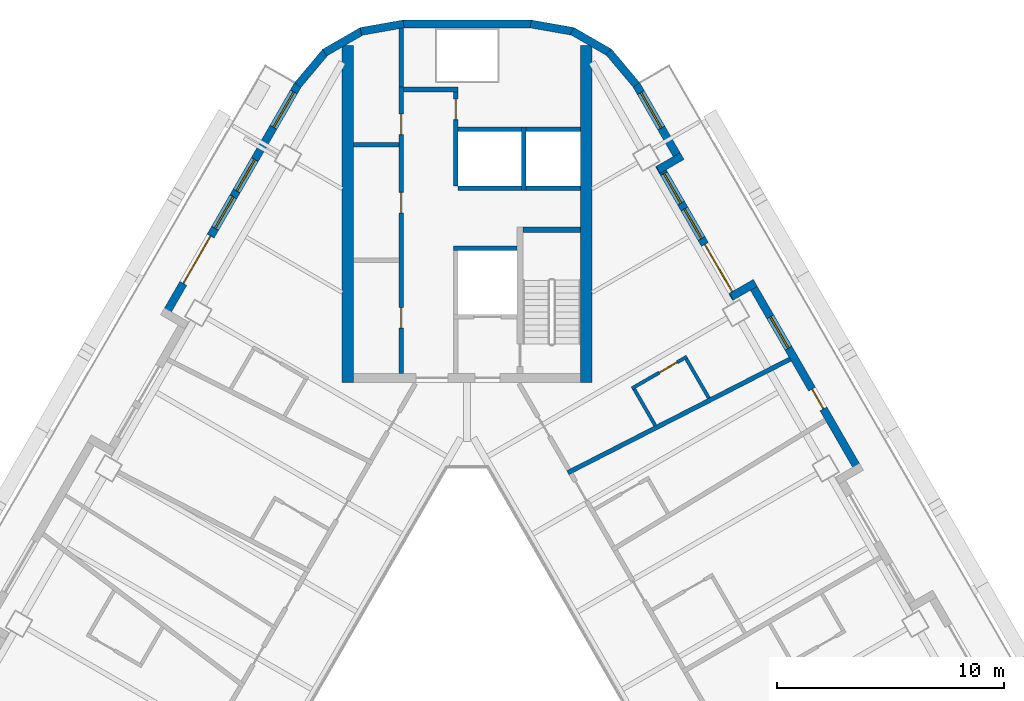
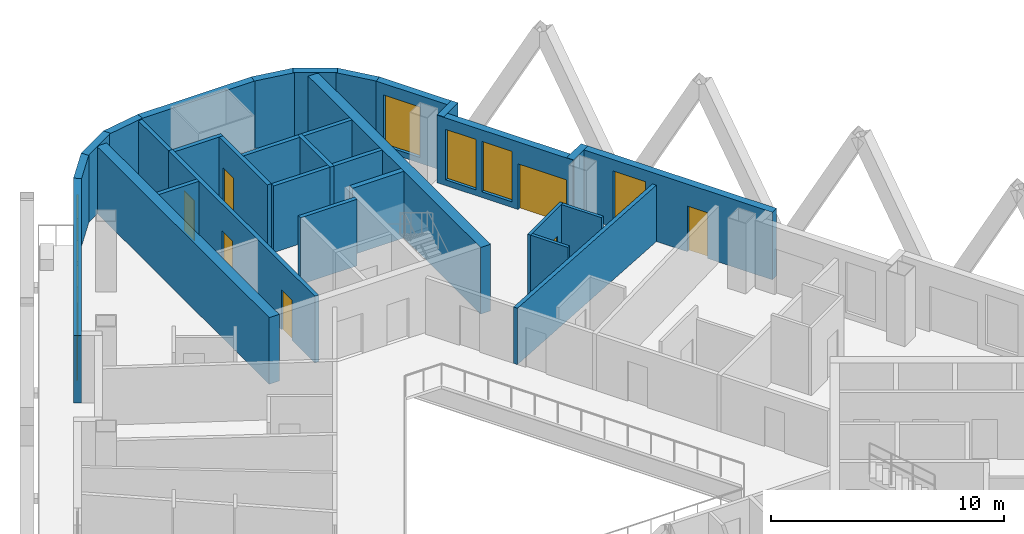
# One storey, part 7 of 14: 31 walls, 8 doors, 7 windows, 15 openings.
"""IFC4 building model written with IfcOpenShell, lengths in metres."""

from ifc_helpers import new_model, si_unit, direction, frame, frame_2d, origin, place, context, subcontext, project, spatial, rectangle, extrude, material, layer, layer_set, type_object, element, fill, save


model = new_model("IFC4")

# Units and contexts
model_context = context("Model", 3, precision=1e-05, world=origin(), true_north=direction((0.0, 1.0)))
body_context = subcontext(model_context, "Body", "Model", "MODEL_VIEW")
ifc_project = project(units=[si_unit("LENGTHUNIT", "METRE"), si_unit("AREAUNIT", "SQUARE_METRE"), si_unit("VOLUMEUNIT", "CUBIC_METRE"), si_unit("PLANEANGLEUNIT", "RADIAN"), si_unit("MASSUNIT", "GRAM", prefix="KILO")], contexts=[model_context])

# Site, building, storey
site_placement = place(None, origin())
site = spatial("IfcSite", under=ifc_project, at=site_placement, CompositionType="ELEMENT")
building_placement = place(site_placement, origin())
building = spatial("IfcBuilding", under=site, at=building_placement, Name="Apuvela Tower Hotel", CompositionType="ELEMENT")
storey_placement = place(building_placement, frame((0.0, 0.0, 90.89990234375)))
storey = spatial("IfcBuildingStorey", under=building, at=storey_placement, Name="L20", CompositionType="ELEMENT", Elevation=90.89990234375)

# Walls
ifc_material_1 = material(Name="Concrete C50/60", Category="concrete")
ifc_layer_1 = layer(ifc_material_1, 0.5)
ifc_layer_set_1 = layer_set([ifc_layer_1], Name="COR-WALL-CORE-500")
wall_type_1 = type_object("IfcWallType", Name="COR-WALL-CORE-500", PredefinedType="SHEAR", material=ifc_layer_set_1)
for number, where, z_axis, x_axis, name in (
    (1, (5.25, 12.89990234375, 0.0), (0.0, 0.0, 1.0), (0.0, 1.0, 0.0), "Core wall N"),
    (2, (-5.25, 12.89990234375, 0.0), (0.0, 0.0, 1.0), (0.0, 1.0, 0.0), "Core wall N"),
):
    element("IfcWall", number, at=place(storey_placement, frame(where, z_axis=z_axis, x_axis=x_axis)), inside=storey, type_object=wall_type_1, Name=name, PredefinedType="SHEAR", context=body_context, shape_type="SweptSolid", body=[
        extrude(rectangle(XDim=14.8369140625, YDim=0.5, at=frame_2d((7.41845703125, 0.0))), origin(), (0.0, 0.0, 1.0), 3.5),
    ])
ifc_material_2 = material(Name="Blockwork 200 mm plastered", Category="masonry")
ifc_layer_2 = layer(ifc_material_2, 0.199951171875)
ifc_layer_set_2 = layer_set([ifc_layer_2], Name="COR-WALL-PART-200")
wall_type_2 = type_object("IfcWallType", Name="COR-WALL-PART-200", PredefinedType="PARTITIONING", material=ifc_layer_set_2)
wall_1_placement = place(storey_placement, frame((5.0, 21.449951171875, 0.0), z_axis=(0.0, 0.0, 1.0), x_axis=(-1.0, 0.0, 0.0)))
element("IfcWall", 3, at=wall_1_placement, inside=storey, type_object=wall_type_2, Name="Partition N", PredefinedType="PARTITIONING", context=body_context, shape_type="SweptSolid", body=[
    extrude(rectangle(XDim=2.39990234375, YDim=0.199951171875, at=frame_2d((1.199951171875, 0.0))), origin(), (0.0, 0.0, 1.0), 3.5),
])
wall_2_placement = place(storey_placement, frame((2.39990234375, 21.449951171875, 0.0), z_axis=(0.0, 0.0, 1.0), x_axis=(-1.0, 0.0, 0.0)))
element("IfcWall", 4, at=wall_2_placement, inside=storey, type_object=wall_type_2, Name="Partition N", PredefinedType="PARTITIONING", context=body_context, shape_type="SweptSolid", body=[
    extrude(rectangle(XDim=2.7998046875, YDim=0.199951171875, at=frame_2d((1.39990234375, 0.0))), origin(), (0.0, 0.0, 1.0), 3.5),
])
ifc_layer_3 = layer(ifc_material_1, 0.199951171875)
ifc_layer_set_3 = layer_set([ifc_layer_3], Name="COR-WALL-SHAFT-200")
wall_type_3 = type_object("IfcWallType", Name="COR-WALL-SHAFT-200", PredefinedType="SHEAR", material=ifc_layer_set_3)
wall_3_placement = place(storey_placement, frame((2.199951171875, 18.800048828125, 0.0), z_axis=(0.0, 0.0, 1.0), x_axis=(-1.0, 0.0, 0.0)))
element("IfcWall", 5, at=wall_3_placement, inside=storey, type_object=wall_type_3, Name="Shaft wall N", PredefinedType="SHEAR", context=body_context, shape_type="SweptSolid", body=[
    extrude(rectangle(XDim=2.800048828125, YDim=0.199951171875, at=frame_2d((1.39990234375, 0.0))), origin(), (0.0, 0.0, 1.0), 3.5),
])

# Wall, openings, doors
wall_4_placement = place(storey_placement, frame((-2.89990234375, 13.300048828125, 0.0), z_axis=(0.0, 0.0, 1.0), x_axis=(0.0, 1.0, 0.0)))
wall_4 = element("IfcWall", 6, at=wall_4_placement, inside=storey, type_object=wall_type_3, Name="Shaft wall N", PredefinedType="SHEAR", context=body_context, shape_type="SweptSolid", body=[
    extrude(rectangle(XDim=12.599853515625, YDim=0.199951171875, at=frame_2d((6.2998046875, 0.0))), origin(), (0.0, 0.0, 1.0), 3.5),
])
opening_1_placement = place(wall_4_placement, frame((1.989990234375, 0.0, 0.0)))
opening_1 = element("IfcOpeningElement", 7, at=opening_1_placement, cuts=wall_4, Name="Opening N-RE1", PredefinedType="OPENING", context=body_context, shape_type="SweptSolid", body=[
    extrude(rectangle(XDim=0.89990234375, YDim=2.10009765625, at=frame_2d((0.449951171875, 1.050048828125))), frame((0.0, 0.10986328125, 0.0), z_axis=(0.0, -1.0, 0.0), x_axis=(1.0, 0.0, 0.0)), (0.0, 0.0, 1.0), 0.219970703125),
])
opening_2_placement = place(wall_4_placement, frame((7.070068359375, 0.0, 0.0)))
opening_2 = element("IfcOpeningElement", 8, at=opening_2_placement, cuts=wall_4, Name="Opening N-RE3", PredefinedType="OPENING", context=body_context, shape_type="SweptSolid", body=[
    extrude(rectangle(XDim=0.89990234375, YDim=2.10009765625, at=frame_2d((0.449951171875, 1.050048828125))), frame((0.0, 0.10986328125, 0.0), z_axis=(0.0, -1.0, 0.0), x_axis=(1.0, 0.0, 0.0)), (0.0, 0.0, 1.0), 0.219970703125),
])
opening_3_placement = place(wall_4_placement, frame((10.510009765625, 0.0, 0.0)))
opening_3 = element("IfcOpeningElement", 9, at=opening_3_placement, cuts=wall_4, Name="Opening N-REP", PredefinedType="OPENING", context=body_context, shape_type="SweptSolid", body=[
    extrude(rectangle(XDim=0.89990234375, YDim=2.10009765625, at=frame_2d((0.449951171875, 1.050048828125))), frame((0.0, 0.10986328125, 0.0), z_axis=(0.0, -1.0, 0.0), x_axis=(1.0, 0.0, 0.0)), (0.0, 0.0, 1.0), 0.219970703125),
])
ifc_material_3 = material(Name="Steel fire door, powder coated", Category="steel")
door_type_1 = type_object("IfcDoorType", Name="COR-DR-900", OperationType="NOTDEFINED", PredefinedType="DOOR", material=ifc_material_3)
door_1_placement = place(opening_1_placement, origin())
door_1 = element("IfcDoor", 10, at=door_1_placement, inside=storey, type_object=door_type_1, Name="Store door N-RE1", OperationType="SINGLE_SWING_LEFT", OverallHeight=2.10009765625, OverallWidth=0.89990234375, PredefinedType="DOOR", context=body_context, shape_type="SweptSolid", body=[
    extrude(rectangle(XDim=0.89990234375, YDim=2.10009765625, at=frame_2d((0.449951171875, 1.050048828125))), frame((0.0, 0.02490234375, 0.0), z_axis=(0.0, -1.0, 0.0), x_axis=(1.0, 0.0, 0.0)), (0.0, 0.0, 1.0), 0.050048828125),
])
fill(opening_1, door_1)
door_2_placement = place(opening_2_placement, origin())
door_2 = element("IfcDoor", 11, at=door_2_placement, inside=storey, type_object=door_type_1, Name="Store door N-RE3", OperationType="SINGLE_SWING_LEFT", OverallHeight=2.10009765625, OverallWidth=0.89990234375, PredefinedType="DOOR", context=body_context, shape_type="SweptSolid", body=[
    extrude(rectangle(XDim=0.89990234375, YDim=2.10009765625, at=frame_2d((0.449951171875, 1.050048828125))), frame((0.0, 0.02490234375, 0.0), z_axis=(0.0, -1.0, 0.0), x_axis=(1.0, 0.0, 0.0)), (0.0, 0.0, 1.0), 0.050048828125),
])
fill(opening_2, door_2)
door_3_placement = place(opening_3_placement, origin())
door_3 = element("IfcDoor", 12, at=door_3_placement, inside=storey, type_object=door_type_1, Name="Store door N-REP", OperationType="SINGLE_SWING_RIGHT", OverallHeight=2.10009765625, OverallWidth=0.89990234375, PredefinedType="DOOR", context=body_context, shape_type="SweptSolid", body=[
    extrude(rectangle(XDim=0.89990234375, YDim=2.10009765625, at=frame_2d((0.449951171875, 1.050048828125))), frame((0.0, 0.02490234375, 0.0), z_axis=(0.0, -1.0, 0.0), x_axis=(1.0, 0.0, 0.0)), (0.0, 0.0, 1.0), 0.050048828125),
])
fill(opening_3, door_3)

# Wall
wall_5_placement = place(storey_placement, frame((-0.39990234375, 25.800048828125, 0.0), z_axis=(0.0, 0.0, 1.0), x_axis=(-1.0, 0.0, 0.0)))
element("IfcWall", 13, at=wall_5_placement, inside=storey, type_object=wall_type_3, Name="Shaft wall N", PredefinedType="SHEAR", context=body_context, shape_type="SweptSolid", body=[
    extrude(rectangle(XDim=2.400146484375, YDim=0.199951171875, at=frame_2d((1.2001953125, 0.0))), origin(), (0.0, 0.0, 1.0), 3.5),
])

# Wall, opening, door
wall_6_placement = place(storey_placement, frame((-0.5, 21.550048828125, 0.0), z_axis=(0.0, 0.0, 1.0), x_axis=(0.0, 1.0, 0.0)))
wall_6 = element("IfcWall", 14, at=wall_6_placement, inside=storey, type_object=wall_type_3, Name="Shaft wall N", PredefinedType="SHEAR", context=body_context, shape_type="SweptSolid", body=[
    extrude(rectangle(XDim=4.14990234375, YDim=0.199951171875, at=frame_2d((2.074951171875, 0.0))), origin(), (0.0, 0.0, 1.0), 3.5),
])
opening_4_placement = place(wall_6_placement, frame((2.925048828125, 0.0, 0.0)))
opening_4 = element("IfcOpeningElement", 15, at=opening_4_placement, cuts=wall_6, Name="Opening N-RSP", PredefinedType="OPENING", context=body_context, shape_type="SweptSolid", body=[
    extrude(rectangle(XDim=0.89990234375, YDim=2.10009765625, at=frame_2d((0.449951171875, 1.050048828125))), frame((0.0, 0.10986328125, 0.0), z_axis=(0.0, -1.0, 0.0), x_axis=(1.0, 0.0, 0.0)), (0.0, 0.0, 1.0), 0.219970703125),
])
door_4_placement = place(opening_4_placement, frame((0.89990234375, 0.0, 0.0), z_axis=(0.0, 0.0, 1.0), x_axis=(-1.0, 0.0, 0.0)))
door_4 = element("IfcDoor", 16, at=door_4_placement, inside=storey, type_object=door_type_1, Name="Store door N-RSP", OperationType="SINGLE_SWING_LEFT", OverallHeight=2.10009765625, OverallWidth=0.89990234375, PredefinedType="DOOR", context=body_context, shape_type="SweptSolid", body=[
    extrude(rectangle(XDim=0.89990234375, YDim=2.10009765625, at=frame_2d((0.449951171875, 1.050048828125))), frame((0.0, 0.02490234375, 0.0), z_axis=(0.0, -1.0, 0.0), x_axis=(1.0, 0.0, 0.0)), (0.0, 0.0, 1.0), 0.050048828125),
])
fill(opening_4, door_4)

# Walls
wall_7_placement = place(storey_placement, frame((-3.0, 23.360107421875, 0.0), z_axis=(0.0, 0.0, 1.0), x_axis=(-1.0, 0.0, 0.0)))
element("IfcWall", 17, at=wall_7_placement, inside=storey, type_object=wall_type_3, Name="Shaft wall N", PredefinedType="SHEAR", context=body_context, shape_type="SweptSolid", body=[
    extrude(rectangle(XDim=2.0, YDim=0.199951171875, at=frame_2d((1.0, 0.0))), origin(), (0.0, 0.0, 1.0), 3.5),
])
wall_8_placement = place(storey_placement, frame((-2.89990234375, 25.89990234375, 0.0), z_axis=(0.0, 0.0, 1.0), x_axis=(0.0, 1.0, 0.0)))
element("IfcWall", 18, at=wall_8_placement, inside=storey, type_object=wall_type_3, Name="Shaft wall N", PredefinedType="SHEAR", context=body_context, shape_type="SweptSolid", body=[
    extrude(rectangle(XDim=2.60009765625, YDim=0.199951171875, at=frame_2d((1.300048828125, 0.0))), origin(), (0.0, 0.0, 1.0), 3.5),
])
wall_9_placement = place(storey_placement, frame((2.5, 21.35009765625, 0.0), z_axis=(0.0, 0.0, 1.0), x_axis=(0.0, 1.0, 0.0)))
element("IfcWall", 19, at=wall_9_placement, inside=storey, type_object=wall_type_3, Name="Shaft wall N", PredefinedType="SHEAR", context=body_context, shape_type="SweptSolid", body=[
    extrude(rectangle(XDim=2.7998046875, YDim=0.199951171875, at=frame_2d((1.39990234375, 0.0))), origin(), (0.0, 0.0, 1.0), 3.5),
])
wall_10_placement = place(storey_placement, frame((5.0, 24.050048828125, 0.0), z_axis=(0.0, 0.0, 1.0), x_axis=(-1.0, 0.0, 0.0)))
element("IfcWall", 20, at=wall_10_placement, inside=storey, type_object=wall_type_3, Name="Shaft wall N", PredefinedType="SHEAR", context=body_context, shape_type="SweptSolid", body=[
    extrude(rectangle(XDim=2.39990234375, YDim=0.199951171875, at=frame_2d((1.199951171875, 0.0))), origin(), (0.0, 0.0, 1.0), 3.5),
])
wall_11_placement = place(storey_placement, frame((2.39990234375, 24.050048828125, 0.0), z_axis=(0.0, 0.0, 1.0), x_axis=(-1.0, 0.0, 0.0)))
element("IfcWall", 21, at=wall_11_placement, inside=storey, type_object=wall_type_3, Name="Shaft wall N", PredefinedType="SHEAR", context=body_context, shape_type="SweptSolid", body=[
    extrude(rectangle(XDim=2.7998046875, YDim=0.199951171875, at=frame_2d((1.39990234375, 0.0))), origin(), (0.0, 0.0, 1.0), 3.5),
])
ifc_layer_4 = layer(ifc_material_1, 0.25)
ifc_layer_set_4 = layer_set([ifc_layer_4], Name="COR-WALL-STAIR-250")
wall_type_4 = type_object("IfcWallType", Name="COR-WALL-STAIR-250", PredefinedType="SHEAR", material=ifc_layer_set_4)
wall_12_placement = place(storey_placement, frame((5.0, 19.625, 0.0), z_axis=(0.0, 0.0, 1.0), x_axis=(-1.0, 0.0, 0.0)))
element("IfcWall", 22, at=wall_12_placement, inside=storey, type_object=wall_type_4, Name="Stair wall N", PredefinedType="SHEAR", context=body_context, shape_type="SweptSolid", body=[
    extrude(rectangle(XDim=2.550048828125, YDim=0.25, at=frame_2d((1.27490234375, 0.0))), origin(), (0.0, 0.0, 1.0), 3.5),
])

# Wall, openings, door, windows
ifc_material_4 = material(Name="Concrete C40/50, dark pigmented precast panel", Category="concrete")
ifc_layer_5 = layer(ifc_material_4, 0.35009765625)
ifc_layer_set_5 = layer_set([ifc_layer_5], Name="ENV-WALL-350")
wall_type_5 = type_object("IfcWallType", Name="ENV-WALL-350", PredefinedType="SOLIDWALL", material=ifc_layer_set_5)
wall_13_placement = place(storey_placement, frame((-7.440673828125, 26.0224609375, 0.0), z_axis=(0.0, 0.0, 1.0), x_axis=(-0.499992533062, -0.86602971478, 0.0)))
wall_13 = element("IfcWall", 23, at=wall_13_placement, inside=storey, type_object=wall_type_5, Name="External wall L20-01", PredefinedType="SOLIDWALL", context=body_context, shape_type="SweptSolid", body=[
    extrude(rectangle(XDim=11.815673828125, YDim=0.35009765625, at=frame_2d((5.90771484375, 0.0))), origin(), (0.0, 0.0, 1.0), 3.550048828125),
])
opening_5_placement = place(wall_13_placement, frame((0.381103515625, 0.0, 0.300048828125)))
opening_5 = element("IfcOpeningElement", 24, at=opening_5_placement, cuts=wall_13, Name="Opening WN18", PredefinedType="OPENING", context=body_context, shape_type="SweptSolid", body=[
    extrude(rectangle(XDim=1.800048828125, YDim=2.64990234375, at=frame_2d((0.89990234375, 1.324951171875))), frame((0.0, 0.18505859375, 0.0), z_axis=(0.0, -1.0, 0.0), x_axis=(1.0, 0.0, 0.0)), (0.0, 0.0, 1.0), 0.3701171875),
])
opening_6_placement = place(wall_13_placement, frame((7.7158203125, 0.0, 0.0)))
opening_6 = element("IfcOpeningElement", 25, at=opening_6_placement, cuts=wall_13, Name="Opening BD24", PredefinedType="OPENING", context=body_context, shape_type="SweptSolid", body=[
    extrude(rectangle(XDim=2.39990234375, YDim=2.39990234375, at=frame_2d((1.199951171875, 1.199951171875))), frame((0.0, 0.18505859375, 0.0), z_axis=(0.0, -1.0, 0.0), x_axis=(1.0, 0.0, 0.0)), (0.0, 0.0, 1.0), 0.3701171875),
])
opening_7_placement = place(wall_13_placement, frame((3.815185546875, 0.0, 0.300048828125)))
opening_7 = element("IfcOpeningElement", 26, at=opening_7_placement, cuts=wall_13, Name="Opening WN16", PredefinedType="OPENING", context=body_context, shape_type="SweptSolid", body=[
    extrude(rectangle(XDim=1.60009765625, YDim=2.64990234375, at=frame_2d((0.800048828125, 1.324951171875))), frame((0.0, 0.18505859375, 0.0), z_axis=(0.0, -1.0, 0.0), x_axis=(1.0, 0.0, 0.0)), (0.0, 0.0, 1.0), 0.3701171875),
])
opening_8_placement = place(wall_13_placement, frame((5.715087890625, 0.0, 0.300048828125)))
opening_8 = element("IfcOpeningElement", 27, at=opening_8_placement, cuts=wall_13, Name="Opening WN16", PredefinedType="OPENING", context=body_context, shape_type="SweptSolid", body=[
    extrude(rectangle(XDim=1.60009765625, YDim=2.64990234375, at=frame_2d((0.800048828125, 1.324951171875))), frame((0.0, 0.18505859375, 0.0), z_axis=(0.0, -1.0, 0.0), x_axis=(1.0, 0.0, 0.0)), (0.0, 0.0, 1.0), 0.3701171875),
])
ifc_material_5 = material(Name="Aluminium 6063-T6, dark bronze anodised frame with dark tinted laminated glass", Category="aluminium")
door_type_2 = type_object("IfcDoorType", Name="ENV-DOOR-BALCONY-2400x2400", OperationType="SLIDING_TO_LEFT", PredefinedType="DOOR", material=ifc_material_5)
door_5_placement = place(opening_6_placement, frame((2.39990234375, 0.0, 0.0), z_axis=(0.0, 0.0, 1.0), x_axis=(-1.0, 0.0, 0.0)))
door_5 = element("IfcDoor", 28, at=door_5_placement, inside=storey, type_object=door_type_2, Name="Balcony door BD24", OperationType="SLIDING_TO_LEFT", OverallHeight=2.39990234375, OverallWidth=2.39990234375, PredefinedType="DOOR", context=body_context, shape_type="SweptSolid", body=[
    extrude(rectangle(XDim=2.39990234375, YDim=2.39990234375, at=frame_2d((1.199951171875, 1.199951171875))), frame((0.0, 0.02490234375, 0.0), z_axis=(0.0, -1.0, 0.0), x_axis=(1.0, 0.0, 0.0)), (0.0, 0.0, 1.0), 0.050048828125),
])
fill(opening_6, door_5)
ifc_material_6 = material(Name="Glass, dark tinted laminated insulated glazing unit", Category="glass")
window_type_1 = type_object("IfcWindowType", Name="ENV-WIN-1600x2650", PartitioningType="SINGLE_PANEL", PredefinedType="WINDOW", material=ifc_material_6)
window_1_placement = place(opening_7_placement, origin())
window_1 = element("IfcWindow", 29, at=window_1_placement, inside=storey, type_object=window_type_1, Name="Window WN16", OverallHeight=2.64990234375, OverallWidth=1.60009765625, PartitioningType="SINGLE_PANEL", PredefinedType="WINDOW", context=body_context, shape_type="SweptSolid", body=[
    extrude(rectangle(XDim=1.60009765625, YDim=2.64990234375, at=frame_2d((0.800048828125, 1.324951171875))), frame((0.0, 0.030029296875, 0.0), z_axis=(0.0, -1.0, 0.0), x_axis=(1.0, 0.0, 0.0)), (0.0, 0.0, 1.0), 0.06005859375),
])
fill(opening_7, window_1)
window_2_placement = place(opening_8_placement, origin())
window_2 = element("IfcWindow", 30, at=window_2_placement, inside=storey, type_object=window_type_1, Name="Window WN16", OverallHeight=2.64990234375, OverallWidth=1.60009765625, PartitioningType="SINGLE_PANEL", PredefinedType="WINDOW", context=body_context, shape_type="SweptSolid", body=[
    extrude(rectangle(XDim=1.60009765625, YDim=2.64990234375, at=frame_2d((0.800048828125, 1.324951171875))), frame((0.0, 0.030029296875, 0.0), z_axis=(0.0, -1.0, 0.0), x_axis=(1.0, 0.0, 0.0)), (0.0, 0.0, 1.0), 0.06005859375),
])
fill(opening_8, window_2)
window_type_2 = type_object("IfcWindowType", Name="ENV-WIN-1800x2650", PartitioningType="SINGLE_PANEL", PredefinedType="WINDOW", material=ifc_material_6)
window_3_placement = place(opening_5_placement, origin())
window_3 = element("IfcWindow", 31, at=window_3_placement, inside=storey, type_object=window_type_2, Name="Window WN18", OverallHeight=2.64990234375, OverallWidth=1.800048828125, PartitioningType="SINGLE_PANEL", PredefinedType="WINDOW", context=body_context, shape_type="SweptSolid", body=[
    extrude(rectangle(XDim=1.800048828125, YDim=2.64990234375, at=frame_2d((0.89990234375, 1.324951171875))), frame((0.0, 0.030029296875, 0.0), z_axis=(0.0, -1.0, 0.0), x_axis=(1.0, 0.0, 0.0)), (0.0, 0.0, 1.0), 0.06005859375),
])
fill(opening_5, window_3)

# Wall, openings, door, window
wall_14_placement = place(storey_placement, frame((17.298583984375, 8.947998046875, 0.0), z_axis=(0.0, 0.0, 1.0), x_axis=(-0.500010041276, 0.866019606374, 0.0)))
wall_14 = element("IfcWall", 32, at=wall_14_placement, inside=storey, type_object=wall_type_5, Name="External wall L20-37", PredefinedType="SOLIDWALL", context=body_context, shape_type="SweptSolid", body=[
    extrude(rectangle(XDim=9.699951171875, YDim=0.35009765625, at=frame_2d((4.85009765625, 0.0))), origin(), (0.0, 0.0, 1.0), 3.550048828125),
])
opening_9_placement = place(wall_14_placement, frame((3.219970703125, 0.0, 0.0)))
opening_9 = element("IfcOpeningElement", 33, at=opening_9_placement, cuts=wall_14, Name="Opening BD10", PredefinedType="OPENING", context=body_context, shape_type="SweptSolid", body=[
    extrude(rectangle(XDim=1.0, YDim=2.39990234375, at=frame_2d((0.5, 1.199951171875))), frame((0.0, 0.18505859375, 0.0), z_axis=(0.0, -1.0, 0.0), x_axis=(1.0, 0.0, 0.0)), (0.0, 0.0, 1.0), 0.3701171875),
])
opening_10_placement = place(wall_14_placement, frame((6.30029296875, 0.0, 0.300048828125)))
opening_10 = element("IfcOpeningElement", 34, at=opening_10_placement, cuts=wall_14, Name="Opening WN16", PredefinedType="OPENING", context=body_context, shape_type="SweptSolid", body=[
    extrude(rectangle(XDim=1.60009765625, YDim=2.64990234375, at=frame_2d((0.800048828125, 1.324951171875))), frame((0.0, 0.18505859375, 0.0), z_axis=(0.0, -1.0, 0.0), x_axis=(1.0, 0.0, 0.0)), (0.0, 0.0, 1.0), 0.3701171875),
])
door_type_3 = type_object("IfcDoorType", Name="ENV-DOOR-BALCONY-1000x2400", OperationType="SLIDING_TO_LEFT", PredefinedType="DOOR", material=ifc_material_5)
door_6_placement = place(opening_9_placement, frame((1.0, 0.0, 0.0), z_axis=(0.0, 0.0, 1.0), x_axis=(-1.0, 0.0, 0.0)))
door_6 = element("IfcDoor", 35, at=door_6_placement, inside=storey, type_object=door_type_3, Name="Balcony door BD10", OperationType="SLIDING_TO_LEFT", OverallHeight=2.39990234375, OverallWidth=1.0, PredefinedType="DOOR", context=body_context, shape_type="SweptSolid", body=[
    extrude(rectangle(XDim=1.0, YDim=2.39990234375, at=frame_2d((0.5, 1.199951171875))), frame((0.0, 0.02490234375, 0.0), z_axis=(0.0, -1.0, 0.0), x_axis=(1.0, 0.0, 0.0)), (0.0, 0.0, 1.0), 0.050048828125),
])
fill(opening_9, door_6)
window_4_placement = place(opening_10_placement, origin())
window_4 = element("IfcWindow", 36, at=window_4_placement, inside=storey, type_object=window_type_1, Name="Window WN16", OverallHeight=2.64990234375, OverallWidth=1.60009765625, PartitioningType="SINGLE_PANEL", PredefinedType="WINDOW", context=body_context, shape_type="SweptSolid", body=[
    extrude(rectangle(XDim=1.60009765625, YDim=2.64990234375, at=frame_2d((0.800048828125, 1.324951171875))), frame((0.0, 0.030029296875, 0.0), z_axis=(0.0, -1.0, 0.0), x_axis=(1.0, 0.0, 0.0)), (0.0, 0.0, 1.0), 0.06005859375),
])
fill(opening_10, window_4)

# Wall
wall_15_placement = place(storey_placement, frame((12.6875, 17.284423828125, 0.0), z_axis=(0.0, 0.0, 1.0), x_axis=(-0.865955602162, -0.500120880472, 0.0)))
element("IfcWall", 37, at=wall_15_placement, inside=storey, type_object=wall_type_5, Name="External wall L20-38", PredefinedType="SOLIDWALL", context=body_context, shape_type="SweptSolid", body=[
    extrude(rectangle(XDim=1.219970703125, YDim=0.35009765625, at=frame_2d((0.60986328125, 0.0))), origin(), (0.0, 0.0, 1.0), 3.550048828125),
])

# Wall, openings, door, windows
wall_16_placement = place(storey_placement, frame((11.8291015625, 16.621337890625, 0.0), z_axis=(0.0, 0.0, 1.0), x_axis=(-0.500003597184, 0.866023326939, 0.0)))
wall_16 = element("IfcWall", 38, at=wall_16_placement, inside=storey, type_object=wall_type_5, Name="External wall L20-39", PredefinedType="SOLIDWALL", context=body_context, shape_type="SweptSolid", body=[
    extrude(rectangle(XDim=6.740234375, YDim=0.35009765625, at=frame_2d((3.3701171875, 0.0))), origin(), (0.0, 0.0, 1.0), 3.550048828125),
])
opening_11_placement = place(wall_16_placement, frame((0.320068359375, 0.0, 0.0)))
opening_11 = element("IfcOpeningElement", 39, at=opening_11_placement, cuts=wall_16, Name="Opening BD24", PredefinedType="OPENING", context=body_context, shape_type="SweptSolid", body=[
    extrude(rectangle(XDim=2.39990234375, YDim=2.39990234375, at=frame_2d((1.199951171875, 1.199951171875))), frame((0.0, 0.18505859375, 0.0), z_axis=(0.0, -1.0, 0.0), x_axis=(1.0, 0.0, 0.0)), (0.0, 0.0, 1.0), 0.3701171875),
])
opening_12_placement = place(wall_16_placement, frame((3.02001953125, 0.0, 0.300048828125)))
opening_12 = element("IfcOpeningElement", 40, at=opening_12_placement, cuts=wall_16, Name="Opening WN15", PredefinedType="OPENING", context=body_context, shape_type="SweptSolid", body=[
    extrude(rectangle(XDim=1.5, YDim=2.64990234375, at=frame_2d((0.75, 1.324951171875))), frame((0.0, 0.18505859375, 0.0), z_axis=(0.0, -1.0, 0.0), x_axis=(1.0, 0.0, 0.0)), (0.0, 0.0, 1.0), 0.3701171875),
])
opening_13_placement = place(wall_16_placement, frame((4.820068359375, 0.0, 0.300048828125)))
opening_13 = element("IfcOpeningElement", 41, at=opening_13_placement, cuts=wall_16, Name="Opening WN15", PredefinedType="OPENING", context=body_context, shape_type="SweptSolid", body=[
    extrude(rectangle(XDim=1.5, YDim=2.64990234375, at=frame_2d((0.75, 1.324951171875))), frame((0.0, 0.18505859375, 0.0), z_axis=(0.0, -1.0, 0.0), x_axis=(1.0, 0.0, 0.0)), (0.0, 0.0, 1.0), 0.3701171875),
])
door_7_placement = place(opening_11_placement, frame((2.39990234375, 0.0, 0.0), z_axis=(0.0, 0.0, 1.0), x_axis=(-1.0, 0.0, 0.0)))
door_7 = element("IfcDoor", 42, at=door_7_placement, inside=storey, type_object=door_type_2, Name="Balcony door BD24", OperationType="SLIDING_TO_LEFT", OverallHeight=2.39990234375, OverallWidth=2.39990234375, PredefinedType="DOOR", context=body_context, shape_type="SweptSolid", body=[
    extrude(rectangle(XDim=2.39990234375, YDim=2.39990234375, at=frame_2d((1.199951171875, 1.199951171875))), frame((0.0, 0.02490234375, 0.0), z_axis=(0.0, -1.0, 0.0), x_axis=(1.0, 0.0, 0.0)), (0.0, 0.0, 1.0), 0.050048828125),
])
fill(opening_11, door_7)
window_type_3 = type_object("IfcWindowType", Name="ENV-WIN-1500x2650", PartitioningType="SINGLE_PANEL", PredefinedType="WINDOW", material=ifc_material_6)
window_5_placement = place(opening_12_placement, origin())
window_5 = element("IfcWindow", 43, at=window_5_placement, inside=storey, type_object=window_type_3, Name="Window WN15", OverallHeight=2.64990234375, OverallWidth=1.5, PartitioningType="SINGLE_PANEL", PredefinedType="WINDOW", context=body_context, shape_type="SweptSolid", body=[
    extrude(rectangle(XDim=1.5, YDim=2.64990234375, at=frame_2d((0.75, 1.324951171875))), frame((0.0, 0.030029296875, 0.0), z_axis=(0.0, -1.0, 0.0), x_axis=(1.0, 0.0, 0.0)), (0.0, 0.0, 1.0), 0.06005859375),
])
fill(opening_12, window_5)
window_6_placement = place(opening_13_placement, origin())
window_6 = element("IfcWindow", 44, at=window_6_placement, inside=storey, type_object=window_type_3, Name="Window WN15", OverallHeight=2.64990234375, OverallWidth=1.5, PartitioningType="SINGLE_PANEL", PredefinedType="WINDOW", context=body_context, shape_type="SweptSolid", body=[
    extrude(rectangle(XDim=1.5, YDim=2.64990234375, at=frame_2d((0.75, 1.324951171875))), frame((0.0, 0.030029296875, 0.0), z_axis=(0.0, -1.0, 0.0), x_axis=(1.0, 0.0, 0.0)), (0.0, 0.0, 1.0), 0.06005859375),
])
fill(opening_13, window_6)

# Wall
wall_17_placement = place(storey_placement, frame((8.406005859375, 22.26025390625, 0.0), z_axis=(0.0, 0.0, 1.0), x_axis=(0.865955602162, 0.500120880472, 0.0)))
element("IfcWall", 45, at=wall_17_placement, inside=storey, type_object=wall_type_5, Name="External wall L20-40", PredefinedType="SOLIDWALL", context=body_context, shape_type="SweptSolid", body=[
    extrude(rectangle(XDim=1.219970703125, YDim=0.35009765625, at=frame_2d((0.60986328125, 0.0))), origin(), (0.0, 0.0, 1.0), 3.550048828125),
])

# Wall, opening, window
wall_18_placement = place(storey_placement, frame((9.3984375, 22.631103515625, 0.0), z_axis=(0.0, 0.0, 1.0), x_axis=(-0.499954521343, 0.866051659307, 0.0)))
wall_18 = element("IfcWall", 46, at=wall_18_placement, inside=storey, type_object=wall_type_5, Name="External wall L20-41", PredefinedType="SOLIDWALL", context=body_context, shape_type="SweptSolid", body=[
    extrude(rectangle(XDim=3.915771484375, YDim=0.35009765625, at=frame_2d((1.9580078125, 0.0))), origin(), (0.0, 0.0, 1.0), 3.550048828125),
])
opening_14_placement = place(wall_18_placement, frame((1.69970703125, 0.0, 0.300048828125)))
opening_14 = element("IfcOpeningElement", 47, at=opening_14_placement, cuts=wall_18, Name="Opening WN18", PredefinedType="OPENING", context=body_context, shape_type="SweptSolid", body=[
    extrude(rectangle(XDim=1.800048828125, YDim=2.64990234375, at=frame_2d((0.89990234375, 1.324951171875))), frame((0.0, 0.18505859375, 0.0), z_axis=(0.0, -1.0, 0.0), x_axis=(1.0, 0.0, 0.0)), (0.0, 0.0, 1.0), 0.3701171875),
])
window_7_placement = place(opening_14_placement, origin())
window_7 = element("IfcWindow", 48, at=window_7_placement, inside=storey, type_object=window_type_2, Name="Window WN18", OverallHeight=2.64990234375, OverallWidth=1.800048828125, PartitioningType="SINGLE_PANEL", PredefinedType="WINDOW", context=body_context, shape_type="SweptSolid", body=[
    extrude(rectangle(XDim=1.800048828125, YDim=2.64990234375, at=frame_2d((0.89990234375, 1.324951171875))), frame((0.0, 0.030029296875, 0.0), z_axis=(0.0, -1.0, 0.0), x_axis=(1.0, 0.0, 0.0)), (0.0, 0.0, 1.0), 0.06005859375),
])
fill(opening_14, window_7)

# Walls
wall_19_placement = place(storey_placement, frame((7.4580078125, 25.99755859375, 0.0), z_axis=(0.0, 0.0, 1.0), x_axis=(-0.642808304945, 0.766027077259, 0.0)))
element("IfcWall", 49, at=wall_19_placement, inside=storey, type_object=wall_type_5, Name="External wall L20-42", PredefinedType="SOLIDWALL", context=body_context, shape_type="SweptSolid", body=[
    extrude(rectangle(XDim=1.909912109375, YDim=0.35009765625, at=frame_2d((0.955078125, 0.0))), origin(), (0.0, 0.0, 1.0), 3.550048828125),
])
for number, where, z_axis, x_axis, name in (
    (50, (6.27685546875, 27.421630859375, 0.0), (0.0, 0.0, 1.0), (-0.866032345022, 0.499987977232, 0.0), "External wall L20-43"),
    (51, (4.6796875, 28.35595703125, 0.0), (0.0, 0.0, 1.0), (-0.984798995425, 0.173697837091, 0.0), "External wall L20-44"),
):
    element("IfcWall", number, at=place(storey_placement, frame(where, z_axis=z_axis, x_axis=x_axis)), inside=storey, type_object=wall_type_5, Name=name, PredefinedType="SOLIDWALL", context=body_context, shape_type="SweptSolid", body=[
        extrude(rectangle(XDim=1.91015625, YDim=0.35009765625, at=frame_2d((0.955078125, 0.0))), origin(), (0.0, 0.0, 1.0), 3.550048828125),
    ])
wall_20_placement = place(storey_placement, frame((2.8291015625, 28.68505859375, 0.0), z_axis=(0.0, 0.0, 1.0), x_axis=(-1.0, 0.0, 0.0)))
element("IfcWall", 52, at=wall_20_placement, inside=storey, type_object=wall_type_5, Name="External wall L20-45", PredefinedType="SOLIDWALL", context=body_context, shape_type="SweptSolid", body=[
    extrude(rectangle(XDim=5.658203125, YDim=0.35009765625, at=frame_2d((2.8291015625, 0.0))), origin(), (0.0, 0.0, 1.0), 3.550048828125),
])
for number, where, z_axis, x_axis, name in (
    (53, (-2.798583984375, 28.687744140625, 0.0), (0.0, 0.0, 1.0), (-0.984798995425, -0.173697837091, 0.0), "External wall L20-46"),
    (54, (-4.62255859375, 28.376708984375, 0.0), (0.0, 0.0, 1.0), (-0.866032345022, -0.499987977232, 0.0), "External wall L20-47"),
):
    element("IfcWall", number, at=place(storey_placement, frame(where, z_axis=z_axis, x_axis=x_axis)), inside=storey, type_object=wall_type_5, Name=name, PredefinedType="SOLIDWALL", context=body_context, shape_type="SweptSolid", body=[
        extrude(rectangle(XDim=1.91015625, YDim=0.35009765625, at=frame_2d((0.955078125, 0.0))), origin(), (0.0, 0.0, 1.0), 3.550048828125),
    ])
wall_21_placement = place(storey_placement, frame((-6.230224609375, 27.460693359375, 0.0), z_axis=(0.0, 0.0, 1.0), x_axis=(-0.642808304945, -0.766027077259, 0.0)))
element("IfcWall", 55, at=wall_21_placement, inside=storey, type_object=wall_type_5, Name="External wall L20-48", PredefinedType="SOLIDWALL", context=body_context, shape_type="SweptSolid", body=[
    extrude(rectangle(XDim=1.909912109375, YDim=0.35009765625, at=frame_2d((0.955078125, 0.0))), origin(), (0.0, 0.0, 1.0), 3.550048828125),
])
ifc_material_7 = material(Name="Gypsum board partition on twin steel stud", Category="steel")
ifc_layer_6 = layer(ifc_material_7, 0.199951171875)
ifc_layer_set_6 = layer_set([ifc_layer_6], Name="GST-PW1")
wall_type_6 = type_object("IfcWallType", Name="GST-PW1", PredefinedType="PARTITIONING", material=ifc_layer_set_6)
wall_22_placement = place(storey_placement, frame((14.221923828125, 13.9267578125, 0.0), z_axis=(0.0, 0.0, 1.0), x_axis=(-0.890385282198, -0.455207699017, 0.0)))
element("IfcWall", 56, at=wall_22_placement, inside=storey, type_object=wall_type_6, Name="L20 partition 07", PredefinedType="PARTITIONING", context=body_context, shape_type="SweptSolid", body=[
    extrude(rectangle(XDim=10.994140625, YDim=0.199951171875, at=frame_2d((5.4970703125, 0.0))), origin(), (0.0, 0.0, 1.0), 2.960205078125),
])

# Wall, opening, door
ifc_material_8 = material(Name="Moisture-resistant gypsum board wet wall on steel stud", Category="steel")
ifc_layer_7 = layer(ifc_material_8, 0.14990234375)
ifc_layer_set_7 = layer_set([ifc_layer_7], Name="GST-PW3")
wall_type_7 = type_object("IfcWallType", Name="GST-PW3", PredefinedType="PARTITIONING", material=ifc_layer_set_7)
wall_23_placement = place(storey_placement, frame((9.6787109375, 14.035888671875, 0.0), z_axis=(0.0, 0.0, 1.0), x_axis=(-0.865996816683, -0.500049511043, 0.0)))
wall_23 = element("IfcWall", 57, at=wall_23_placement, inside=storey, type_object=wall_type_7, Name="L20 partition 39", PredefinedType="PARTITIONING", context=body_context, shape_type="SweptSolid", body=[
    extrude(rectangle(XDim=2.800048828125, YDim=0.14990234375, at=frame_2d((1.39990234375, 0.0))), origin(), (0.0, 0.0, 1.0), 3.550048828125),
])
opening_15_placement = place(wall_23_placement, frame((0.5, 0.0, 0.0)))
opening_15 = element("IfcOpeningElement", 58, at=opening_15_placement, cuts=wall_23, Name="Opening GD06-17", PredefinedType="OPENING", context=body_context, shape_type="SweptSolid", body=[
    extrude(rectangle(XDim=0.89990234375, YDim=2.10009765625, at=frame_2d((0.449951171875, 1.050048828125))), frame((0.0, 0.0849609375, 0.0), z_axis=(0.0, -1.0, 0.0), x_axis=(1.0, 0.0, 0.0)), (0.0, 0.0, 1.0), 0.169921875),
])
ifc_material_9 = material(Name="Timber door leaf in steel frame", Category="steel")
door_type_4 = type_object("IfcDoorType", Name="GST-D2", OperationType="NOTDEFINED", PredefinedType="DOOR", material=ifc_material_9)
door_8_placement = place(opening_15_placement, origin())
door_8 = element("IfcDoor", 59, at=door_8_placement, inside=storey, type_object=door_type_4, Name="Door L20-17", OperationType="SINGLE_SWING_LEFT", OverallHeight=2.10009765625, OverallWidth=0.89990234375, PredefinedType="DOOR", context=body_context, shape_type="SweptSolid", body=[
    extrude(rectangle(XDim=0.89990234375, YDim=2.10009765625, at=frame_2d((0.449951171875, 1.050048828125))), frame((0.0, 0.02490234375, 0.0), z_axis=(0.0, -1.0, 0.0), x_axis=(1.0, 0.0, 0.0)), (0.0, 0.0, 1.0), 0.050048828125),
])
fill(opening_15, door_8)

# Walls
wall_24_placement = place(storey_placement, frame((10.64599609375, 12.210693359375, 0.0), z_axis=(0.0, 0.0, 1.0), x_axis=(-0.50001992892, 0.866013897511, 0.0)))
element("IfcWall", 60, at=wall_24_placement, inside=storey, type_object=wall_type_7, Name="L20 partition 40", PredefinedType="PARTITIONING", context=body_context, shape_type="SweptSolid", body=[
    extrude(rectangle(XDim=1.9892578125, YDim=0.14990234375, at=frame_2d((0.99462890625, 0.0))), origin(), (0.0, 0.0, 1.0), 3.550048828125),
])
wall_25_placement = place(storey_placement, frame((8.283203125, 11.0029296875, 0.0), z_axis=(0.0, 0.0, 1.0), x_axis=(-0.499935264145, 0.866062775822, 0.0)))
element("IfcWall", 61, at=wall_25_placement, inside=storey, type_object=wall_type_7, Name="L20 partition 41", PredefinedType="PARTITIONING", context=body_context, shape_type="SweptSolid", body=[
    extrude(rectangle(XDim=1.853759765625, YDim=0.14990234375, at=frame_2d((0.9267578125, 0.0))), origin(), (0.0, 0.0, 1.0), 3.550048828125),
])

save(model, "model.ifc")
